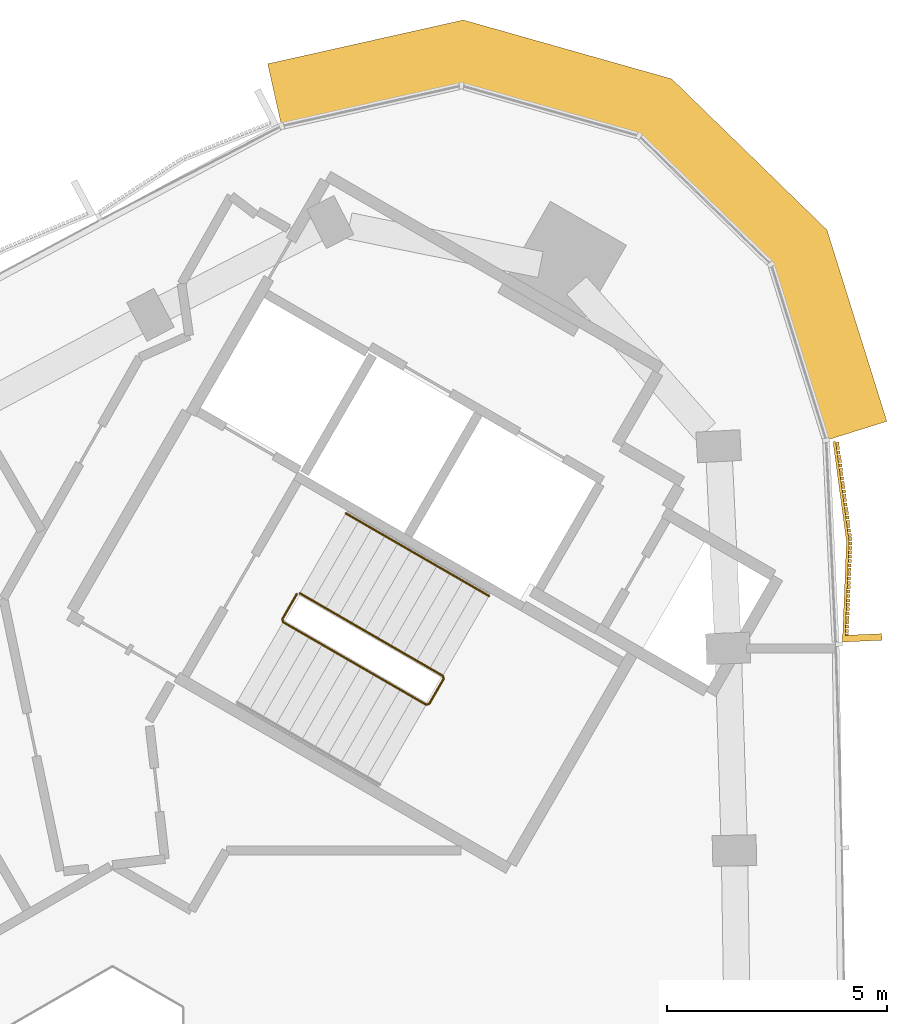
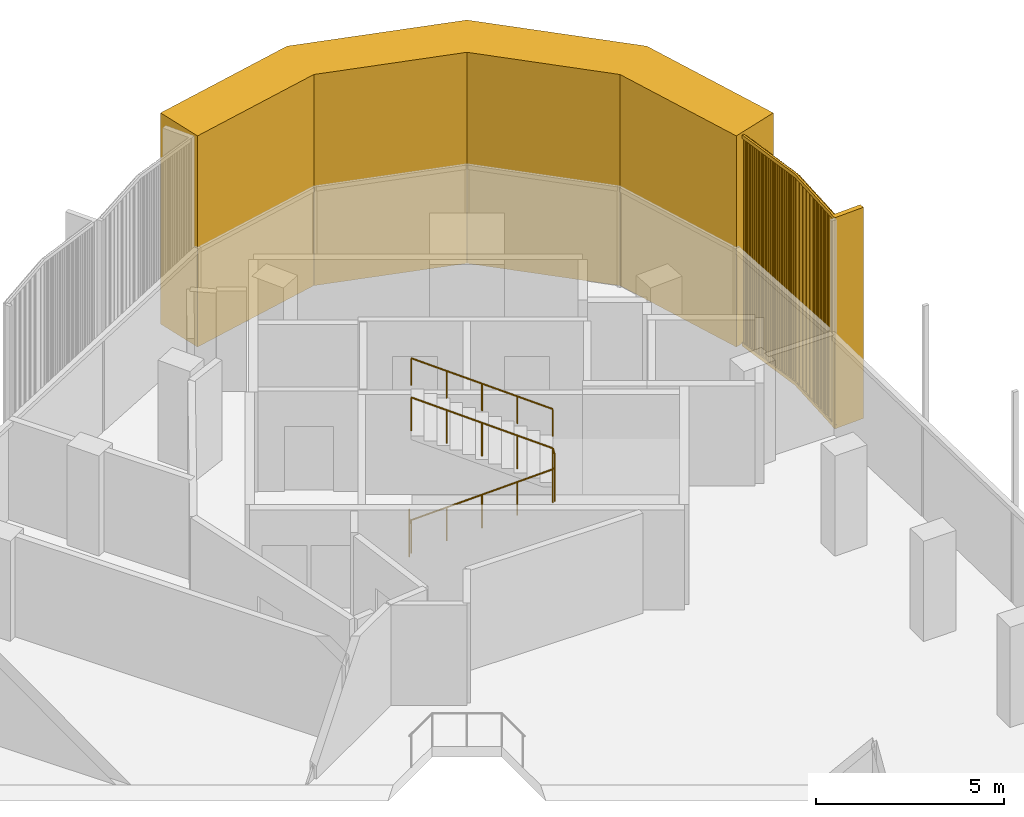
# One storey, part 12 of 12: 2 coverings, 2 railings.
"""IFC4 building model written with IfcOpenShell, lengths in metres."""

from ifc_helpers import new_model, si_unit, direction, frame, frame_2d, origin, origin_2d, place, context, subcontext, project, spatial, polyline, rectangle, circle, outline, extrude, source, transform, mapped, material, layer, layer_set, type_object, element, save


model = new_model("IFC4")

# Units and contexts
model_context = context("Model", 3, precision=1e-05, world=origin(), true_north=direction((0.0, 1.0)))
body_context = subcontext(model_context, "Body", "Model", "MODEL_VIEW")
ifc_project = project(units=[si_unit("LENGTHUNIT", "METRE"), si_unit("AREAUNIT", "SQUARE_METRE"), si_unit("VOLUMEUNIT", "CUBIC_METRE"), si_unit("PLANEANGLEUNIT", "RADIAN"), si_unit("MASSUNIT", "GRAM", prefix="KILO")], contexts=[model_context])

# Site, building, storey
site_placement = place(None, origin())
site = spatial("IfcSite", under=ifc_project, at=site_placement, CompositionType="ELEMENT")
building_placement = place(site_placement, origin())
building = spatial("IfcBuilding", under=site, at=building_placement, Name="Tamra Quay Hotel Tower", CompositionType="ELEMENT")
storey_placement = place(building_placement, frame((0.0, 0.0, 273.0)))
storey = spatial("IfcBuildingStorey", under=building, at=storey_placement, Name="L69", CompositionType="ELEMENT", Elevation=273.0)

# Covering
ifc_material_1 = material(Name="Precast concrete M60 terracotta-coloured", Category="masonry")
ifc_layer = layer(ifc_material_1, 1.449951171875)
ifc_layer_set = layer_set([ifc_layer], Name="CORNER PIER PANEL")
covering_type_1 = type_object("IfcCoveringType", Name="CORNER PIER PANEL", PredefinedType="CLADDING", material=ifc_layer_set)
covering_1_placement = place(storey_placement, origin())
element("IfcCovering", 1, at=covering_1_placement, inside=storey, type_object=covering_type_1, Name="Corner pier L69.east", PredefinedType="CLADDING", context=body_context, shape_type="SweptSolid", body=[
    extrude(outline(polyline([(17.648681640625, 16.25146484375), (19.03271484375, 16.68408203125), (17.67041015625, 21.0419921875), (14.134521484375, 24.481689453125), (9.3876953125, 25.823974609375), (4.9326171875, 24.824951171875), (5.249755859375, 23.409912109375), (9.346435546875, 24.32861328125), (13.38671875, 23.186279296875), (16.39599609375, 20.2587890625), (17.648681640625, 16.25146484375)])), origin(), (0.0, 0.0, 1.0), 6.85009765625),
])

# Railings
ifc_material_2 = material(Name="Stair guard 1100")
railing_type_1 = type_object("IfcRailingType", Name="Stair guard 1100", PredefinedType="GUARDRAIL", material=ifc_material_2)
railing_1_placement = place(storey_placement, frame((5.595458984375, 12.751953125, 0.0)))
element("IfcRailing", 2, at=railing_1_placement, inside=storey, type_object=railing_type_1, Name="GR", PredefinedType="GUARDRAIL", context=body_context, shape_type="SweptSolid", body=[
    extrude(circle(Radius=0.02392578125, at=origin_2d()), frame((0.0, 0.0, 1.076171875), z_axis=(-0.499765215335, -0.866160914346, 0.0), x_axis=(0.866160914346, -0.499765215335, 0.0)), (0.0, 0.0, 1.0), 0.658935546875),
    extrude(circle(Radius=0.02392578125, at=origin_2d()), frame((-0.329345703125, -0.57080078125, 1.076171875), z_axis=(0.110525977783, -0.411156637351, 0.904839338113), x_axis=(0.965715946433, 0.259601060869, 0.0)), (0.0, 0.0, 1.0), 0.165771484375),
    extrude(circle(Radius=0.02392578125, at=origin_2d()), frame((-0.31103515625, -0.638916015625, 1.22607421875), z_axis=(0.79305953016, -0.457922937641, 0.401700342053), x_axis=(0.500040788363, 0.866001853331, 0.0)), (0.0, 0.0, 1.0), 4.10791015625),
    extrude(circle(Radius=0.02392578125, at=origin_2d()), frame((2.94677734375, -2.52001953125, 2.8759765625), z_axis=(0.965948051503, 0.258736085224, 0.0), x_axis=(-0.258736085224, 0.965948051503, 0.0)), (0.0, 0.0, 1.0), 0.07080078125),
    extrude(circle(Radius=0.02392578125, at=origin_2d()), frame((3.01513671875, -2.501708984375, 2.8759765625), z_axis=(0.500043078269, 0.866000531106, 0.0), x_axis=(-0.866000531106, 0.500043078269, 0.0)), (0.0, 0.0, 1.0), 0.6591796875),
    extrude(circle(Radius=0.02392578125, at=origin_2d()), frame((3.3447265625, -1.930908203125, 2.8759765625), z_axis=(-0.110525977783, 0.411156637351, 0.904839338113), x_axis=(-0.965715946433, -0.259601060869, 0.0)), (0.0, 0.0, 1.0), 0.165771484375),
    extrude(circle(Radius=0.02392578125, at=origin_2d()), frame((3.326416015625, -1.86279296875, 3.02587890625), z_axis=(-0.793081581205, 0.457901355053, 0.401681409319), x_axis=(-0.500012686397, -0.866018079166, 0.0)), (0.0, 0.0, 1.0), 4.108154296875),
    extrude(circle(Radius=0.02099609375, at=origin_2d()), origin(), (0.0, 0.0, 1.0), 1.052001953125),
    extrude(circle(Radius=0.02099609375, at=origin_2d()), frame((-0.329345703125, -0.57080078125, 0.0)), (0.0, 0.0, 1.0), 1.052001953125),
    extrude(circle(Radius=0.02099609375, at=origin_2d()), frame((-0.31103515625, -0.638916015625, 0.14990234375)), (0.0, 0.0, 1.0), 1.052001953125),
    extrude(circle(Radius=0.02099609375, at=origin_2d()), frame((0.50341796875, -1.109130859375, 0.5625)), (0.0, 0.0, 1.0), 1.052001953125),
    extrude(circle(Radius=0.02099609375, at=origin_2d()), frame((1.31787109375, -1.57958984375, 0.97509765625)), (0.0, 0.0, 1.0), 1.052001953125),
    extrude(circle(Radius=0.02099609375, at=origin_2d()), frame((2.13232421875, -2.0498046875, 1.387451171875)), (0.0, 0.0, 1.0), 1.052001953125),
    extrude(circle(Radius=0.02099609375, at=origin_2d()), frame((2.94677734375, -2.52001953125, 1.800048828125)), (0.0, 0.0, 1.0), 1.052001953125),
    extrude(circle(Radius=0.02099609375, at=origin_2d()), frame((3.01513671875, -2.501708984375, 1.800048828125)), (0.0, 0.0, 1.0), 1.052001953125),
    extrude(circle(Radius=0.02099609375, at=origin_2d()), frame((3.3447265625, -1.930908203125, 1.800048828125)), (0.0, 0.0, 1.0), 1.052001953125),
    extrude(circle(Radius=0.02099609375, at=origin_2d()), frame((3.326416015625, -1.86279296875, 1.949951171875)), (0.0, 0.0, 1.0), 1.052001953125),
    extrude(circle(Radius=0.02099609375, at=origin_2d()), frame((2.511962890625, -1.392578125, 2.362548828125)), (0.0, 0.0, 1.0), 1.052001953125),
    extrude(circle(Radius=0.02099609375, at=origin_2d()), frame((1.697265625, -0.92236328125, 2.77490234375)), (0.0, 0.0, 1.0), 1.052001953125),
    extrude(circle(Radius=0.02099609375, at=origin_2d()), frame((0.8828125, -0.451904296875, 3.1875)), (0.0, 0.0, 1.0), 1.052001953125),
    extrude(circle(Radius=0.02099609375, at=origin_2d()), frame((0.068359375, 0.018310546875, 3.60009765625)), (0.0, 0.0, 1.0), 1.052001953125),
])
ifc_material_3 = material(Name="Stair handrail 900")
railing_type_2 = type_object("IfcRailingType", Name="Stair handrail 900", PredefinedType="HANDRAIL", material=ifc_material_3)
railing_2_placement = place(storey_placement, frame((9.971923828125, 12.7080078125, 1.949951171875)))
element("IfcRailing", 3, at=railing_2_placement, inside=storey, type_object=railing_type_2, Name="HR", PredefinedType="HANDRAIL", context=body_context, shape_type="SweptSolid", body=[
    extrude(circle(Radius=0.02392578125, at=origin_2d()), frame((0.0, 0.0, 0.8759765625), z_axis=(-0.793103162556, 0.457854384738, 0.401692339881), x_axis=(-0.499964013922, -0.86604617936, 0.0)), (0.0, 0.0, 1.0), 4.10791015625),
    extrude(circle(Radius=0.02099609375, at=origin_2d()), origin(), (0.0, 0.0, 1.0), 0.851806640625),
    extrude(circle(Radius=0.02099609375, at=origin_2d()), frame((-0.814453125, 0.47021484375, 0.41259765625)), (0.0, 0.0, 1.0), 0.851806640625),
    extrude(circle(Radius=0.02099609375, at=origin_2d()), frame((-1.62890625, 0.9404296875, 0.8251953125)), (0.0, 0.0, 1.0), 0.851806640625),
    extrude(circle(Radius=0.02099609375, at=origin_2d()), frame((-2.443603515625, 1.41064453125, 1.237548828125)), (0.0, 0.0, 1.0), 0.851806640625),
    extrude(circle(Radius=0.02099609375, at=origin_2d()), frame((-3.258056640625, 1.880859375, 1.650146484375)), (0.0, 0.0, 1.0), 0.851806640625),
])

# Covering
ifc_material_4 = material(Name="Terracotta baguette extruded", Category="masonry")
covering_type_2 = type_object("IfcCoveringType", Name="BAGUETTE SCREEN E-V H6850", PredefinedType="USERDEFINED", material=ifc_material_4)
shared_shape = source(origin(), body_context, "Body", "SweptSolid", [
    extrude(rectangle(XDim=2.291259765625, YDim=0.06005859375, at=frame_2d((1.1455078125, 0.030029296875))), frame((-2.287841796875, -0.057861328125, -0.1201171875), z_axis=(0.0, 0.0, 1.0), x_axis=(0.996194698092, -0.087155742748, 0.0)), (0.0, 0.0, 1.0), 0.1201171875),
    extrude(rectangle(XDim=2.291259765625, YDim=0.06005859375, at=frame_2d((1.1455078125, 0.030029296875))), frame((-2.287841796875, -0.057861328125, -6.85009765625), z_axis=(0.0, 0.0, 1.0), x_axis=(0.996194698092, -0.087155742748, 0.0)), (0.0, 0.0, 1.0), 0.1201171875),
    extrude(rectangle(XDim=0.070068359375, YDim=0.10009765625, at=frame_2d((0.03515625, 0.050048828125))), frame((-2.267822265625, -0.13232421875, -6.7900390625)), (0.0, 0.0, 1.0), 6.72998046875),
    extrude(rectangle(XDim=0.070068359375, YDim=0.10009765625, at=frame_2d((0.03515625, 0.050048828125))), frame((-2.168701171875, -0.14111328125, -6.7900390625)), (0.0, 0.0, 1.0), 6.72998046875),
    extrude(rectangle(XDim=0.070068359375, YDim=0.10009765625, at=frame_2d((0.03515625, 0.050048828125))), frame((-2.0693359375, -0.149658203125, -6.7900390625)), (0.0, 0.0, 1.0), 6.72998046875),
    extrude(rectangle(XDim=0.070068359375, YDim=0.10009765625, at=frame_2d((0.03515625, 0.050048828125))), frame((-1.97021484375, -0.158447265625, -6.7900390625)), (0.0, 0.0, 1.0), 6.72998046875),
    extrude(rectangle(XDim=0.070068359375, YDim=0.10009765625, at=frame_2d((0.03515625, 0.050048828125))), frame((-1.870849609375, -0.1669921875, -6.7900390625)), (0.0, 0.0, 1.0), 6.72998046875),
    extrude(rectangle(XDim=0.070068359375, YDim=0.10009765625, at=frame_2d((0.03515625, 0.050048828125))), frame((-1.771728515625, -0.17578125, -6.7900390625)), (0.0, 0.0, 1.0), 6.72998046875),
    extrude(rectangle(XDim=0.070068359375, YDim=0.10009765625, at=frame_2d((0.03515625, 0.050048828125))), frame((-1.67236328125, -0.184326171875, -6.7900390625)), (0.0, 0.0, 1.0), 6.72998046875),
    extrude(rectangle(XDim=0.070068359375, YDim=0.10009765625, at=frame_2d((0.03515625, 0.050048828125))), frame((-1.5732421875, -0.193115234375, -6.7900390625)), (0.0, 0.0, 1.0), 6.72998046875),
    extrude(rectangle(XDim=0.070068359375, YDim=0.10009765625, at=frame_2d((0.03515625, 0.050048828125))), frame((-1.473876953125, -0.201904296875, -6.7900390625)), (0.0, 0.0, 1.0), 6.72998046875),
    extrude(rectangle(XDim=0.070068359375, YDim=0.10009765625, at=frame_2d((0.03515625, 0.050048828125))), frame((-1.374755859375, -0.21044921875, -6.7900390625)), (0.0, 0.0, 1.0), 6.72998046875),
    extrude(rectangle(XDim=0.070068359375, YDim=0.10009765625, at=frame_2d((0.03515625, 0.050048828125))), frame((-1.275390625, -0.21923828125, -6.7900390625)), (0.0, 0.0, 1.0), 6.72998046875),
    extrude(rectangle(XDim=0.070068359375, YDim=0.10009765625, at=frame_2d((0.03515625, 0.050048828125))), frame((-1.17626953125, -0.227783203125, -6.7900390625)), (0.0, 0.0, 1.0), 6.72998046875),
    extrude(rectangle(XDim=0.070068359375, YDim=0.10009765625, at=frame_2d((0.03515625, 0.050048828125))), frame((-1.076904296875, -0.236572265625, -6.7900390625)), (0.0, 0.0, 1.0), 6.72998046875),
    extrude(rectangle(XDim=0.070068359375, YDim=0.10009765625, at=frame_2d((0.03515625, 0.050048828125))), frame((-0.977783203125, -0.2451171875, -6.7900390625)), (0.0, 0.0, 1.0), 6.72998046875),
    extrude(rectangle(XDim=0.070068359375, YDim=0.10009765625, at=frame_2d((0.03515625, 0.050048828125))), frame((-0.87841796875, -0.25390625, -6.7900390625)), (0.0, 0.0, 1.0), 6.72998046875),
    extrude(rectangle(XDim=0.070068359375, YDim=0.10009765625, at=frame_2d((0.03515625, 0.050048828125))), frame((-0.779296875, -0.2626953125, -6.7900390625)), (0.0, 0.0, 1.0), 6.72998046875),
    extrude(rectangle(XDim=0.070068359375, YDim=0.10009765625, at=frame_2d((0.03515625, 0.050048828125))), frame((-0.679931640625, -0.271240234375, -6.7900390625)), (0.0, 0.0, 1.0), 6.72998046875),
    extrude(rectangle(XDim=0.070068359375, YDim=0.10009765625, at=frame_2d((0.03515625, 0.050048828125))), frame((-0.580810546875, -0.280029296875, -6.7900390625)), (0.0, 0.0, 1.0), 6.72998046875),
    extrude(rectangle(XDim=0.070068359375, YDim=0.10009765625, at=frame_2d((0.03515625, 0.050048828125))), frame((-0.481689453125, -0.28857421875, -6.7900390625)), (0.0, 0.0, 1.0), 6.72998046875),
    extrude(rectangle(XDim=0.070068359375, YDim=0.10009765625, at=frame_2d((0.03515625, 0.050048828125))), frame((-0.38232421875, -0.29736328125, -6.7900390625)), (0.0, 0.0, 1.0), 6.72998046875),
    extrude(rectangle(XDim=0.070068359375, YDim=0.10009765625, at=frame_2d((0.03515625, 0.050048828125))), frame((-0.283203125, -0.305908203125, -6.7900390625)), (0.0, 0.0, 1.0), 6.72998046875),
    extrude(rectangle(XDim=0.070068359375, YDim=0.10009765625, at=frame_2d((0.03515625, 0.050048828125))), frame((-0.183837890625, -0.314697265625, -6.7900390625)), (0.0, 0.0, 1.0), 6.72998046875),
    extrude(rectangle(XDim=0.070068359375, YDim=0.10009765625, at=frame_2d((0.03515625, 0.050048828125))), frame((-0.084716796875, -0.3232421875, -6.7900390625)), (0.0, 0.0, 1.0), 6.72998046875),
    extrude(rectangle(XDim=2.291259765625, YDim=0.06005859375, at=frame_2d((1.1455078125, 0.030029296875))), frame((0.005126953125, -0.257568359375, -0.1201171875), z_axis=(0.0, 0.0, 1.0), x_axis=(0.996194698092, 0.087155742748, 0.0)), (0.0, 0.0, 1.0), 0.1201171875),
    extrude(rectangle(XDim=2.291259765625, YDim=0.06005859375, at=frame_2d((1.1455078125, 0.030029296875))), frame((0.005126953125, -0.257568359375, -6.85009765625), z_axis=(0.0, 0.0, 1.0), x_axis=(0.996194698092, 0.087155742748, 0.0)), (0.0, 0.0, 1.0), 0.1201171875),
    extrude(rectangle(XDim=0.070068359375, YDim=0.10009765625, at=frame_2d((0.03515625, 0.050048828125))), frame((0.0146484375, -0.3232421875, -6.7900390625)), (0.0, 0.0, 1.0), 6.72998046875),
    extrude(rectangle(XDim=0.070068359375, YDim=0.10009765625, at=frame_2d((0.03515625, 0.050048828125))), frame((0.11376953125, -0.314697265625, -6.7900390625)), (0.0, 0.0, 1.0), 6.72998046875),
    extrude(rectangle(XDim=0.070068359375, YDim=0.10009765625, at=frame_2d((0.03515625, 0.050048828125))), frame((0.213134765625, -0.305908203125, -6.7900390625)), (0.0, 0.0, 1.0), 6.72998046875),
    extrude(rectangle(XDim=0.070068359375, YDim=0.10009765625, at=frame_2d((0.03515625, 0.050048828125))), frame((0.312255859375, -0.29736328125, -6.7900390625)), (0.0, 0.0, 1.0), 6.72998046875),
    extrude(rectangle(XDim=0.070068359375, YDim=0.10009765625, at=frame_2d((0.03515625, 0.050048828125))), frame((0.41162109375, -0.28857421875, -6.7900390625)), (0.0, 0.0, 1.0), 6.72998046875),
    extrude(rectangle(XDim=0.070068359375, YDim=0.10009765625, at=frame_2d((0.03515625, 0.050048828125))), frame((0.5107421875, -0.280029296875, -6.7900390625)), (0.0, 0.0, 1.0), 6.72998046875),
    extrude(rectangle(XDim=0.070068359375, YDim=0.10009765625, at=frame_2d((0.03515625, 0.050048828125))), frame((0.610107421875, -0.271240234375, -6.7900390625)), (0.0, 0.0, 1.0), 6.72998046875),
    extrude(rectangle(XDim=0.070068359375, YDim=0.10009765625, at=frame_2d((0.03515625, 0.050048828125))), frame((0.709228515625, -0.2626953125, -6.7900390625)), (0.0, 0.0, 1.0), 6.72998046875),
    extrude(rectangle(XDim=0.070068359375, YDim=0.10009765625, at=frame_2d((0.03515625, 0.050048828125))), frame((0.80859375, -0.25390625, -6.7900390625)), (0.0, 0.0, 1.0), 6.72998046875),
    extrude(rectangle(XDim=0.070068359375, YDim=0.10009765625, at=frame_2d((0.03515625, 0.050048828125))), frame((0.90771484375, -0.2451171875, -6.7900390625)), (0.0, 0.0, 1.0), 6.72998046875),
    extrude(rectangle(XDim=0.070068359375, YDim=0.10009765625, at=frame_2d((0.03515625, 0.050048828125))), frame((1.007080078125, -0.236572265625, -6.7900390625)), (0.0, 0.0, 1.0), 6.72998046875),
    extrude(rectangle(XDim=0.070068359375, YDim=0.10009765625, at=frame_2d((0.03515625, 0.050048828125))), frame((1.106201171875, -0.227783203125, -6.7900390625)), (0.0, 0.0, 1.0), 6.72998046875),
    extrude(rectangle(XDim=0.070068359375, YDim=0.10009765625, at=frame_2d((0.03515625, 0.050048828125))), frame((1.20556640625, -0.21923828125, -6.7900390625)), (0.0, 0.0, 1.0), 6.72998046875),
    extrude(rectangle(XDim=0.070068359375, YDim=0.10009765625, at=frame_2d((0.03515625, 0.050048828125))), frame((1.3046875, -0.21044921875, -6.7900390625)), (0.0, 0.0, 1.0), 6.72998046875),
    extrude(rectangle(XDim=0.070068359375, YDim=0.10009765625, at=frame_2d((0.03515625, 0.050048828125))), frame((1.404052734375, -0.201904296875, -6.7900390625)), (0.0, 0.0, 1.0), 6.72998046875),
    extrude(rectangle(XDim=0.070068359375, YDim=0.10009765625, at=frame_2d((0.03515625, 0.050048828125))), frame((1.503173828125, -0.193115234375, -6.7900390625)), (0.0, 0.0, 1.0), 6.72998046875),
    extrude(rectangle(XDim=0.070068359375, YDim=0.10009765625, at=frame_2d((0.03515625, 0.050048828125))), frame((1.6025390625, -0.184326171875, -6.7900390625)), (0.0, 0.0, 1.0), 6.72998046875),
    extrude(rectangle(XDim=0.070068359375, YDim=0.10009765625, at=frame_2d((0.03515625, 0.050048828125))), frame((1.70166015625, -0.17578125, -6.7900390625)), (0.0, 0.0, 1.0), 6.72998046875),
    extrude(rectangle(XDim=0.070068359375, YDim=0.10009765625, at=frame_2d((0.03515625, 0.050048828125))), frame((1.801025390625, -0.1669921875, -6.7900390625)), (0.0, 0.0, 1.0), 6.72998046875),
    extrude(rectangle(XDim=0.070068359375, YDim=0.10009765625, at=frame_2d((0.03515625, 0.050048828125))), frame((1.900146484375, -0.158447265625, -6.7900390625)), (0.0, 0.0, 1.0), 6.72998046875),
    extrude(rectangle(XDim=0.070068359375, YDim=0.10009765625, at=frame_2d((0.03515625, 0.050048828125))), frame((1.99951171875, -0.149658203125, -6.7900390625)), (0.0, 0.0, 1.0), 6.72998046875),
    extrude(rectangle(XDim=0.070068359375, YDim=0.10009765625, at=frame_2d((0.03515625, 0.050048828125))), frame((2.0986328125, -0.14111328125, -6.7900390625)), (0.0, 0.0, 1.0), 6.72998046875),
    extrude(rectangle(XDim=0.070068359375, YDim=0.10009765625, at=frame_2d((0.03515625, 0.050048828125))), frame((2.197998046875, -0.13232421875, -6.7900390625)), (0.0, 0.0, 1.0), 6.72998046875),
    extrude(rectangle(XDim=0.14990234375, YDim=0.902099609375, at=frame_2d((0.074951171875, 0.451171875))), frame((-2.282470703125, -0.89990234375, -6.85009765625)), (0.0, 0.0, 1.0), 6.85009765625),
])
covering_2_placement = place(storey_placement, frame((17.915283203125, 13.93798828125, 6.85009765625), z_axis=(0.0, 0.0, 1.0), x_axis=(-0.046821223335, 0.998903285131, 0.0)))
element("IfcCovering", 4, at=covering_2_placement, inside=storey, type_object=covering_type_2, Name="Baguette screen L69.E.f06", ObjectType="BAGUETTE SCREEN", PredefinedType="USERDEFINED", context=body_context, shape_type="MappedRepresentation", body=[
    mapped(shared_shape, transform((0.0, 0.0, 0.0), scale=1.0)),
])

save(model, "model.ifc")
